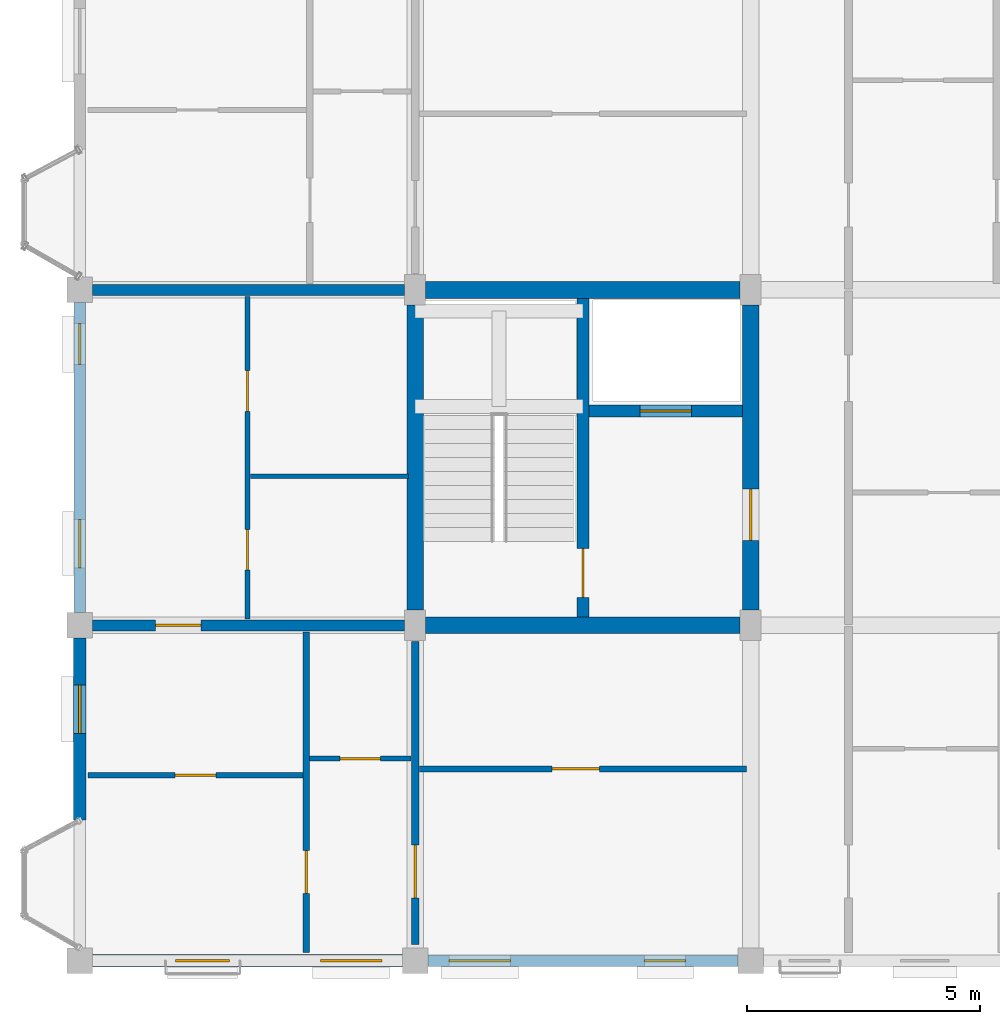
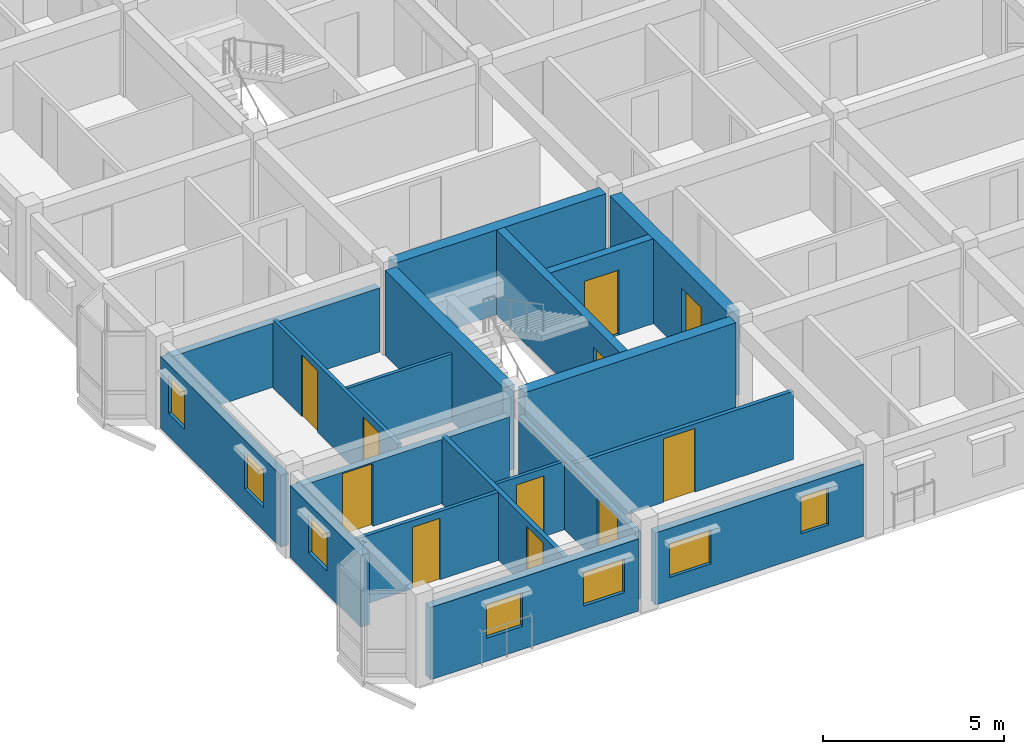
# One storey, part 50 of 79: 19 walls, 11 doors, 7 windows, 18 openings.
"""IFC4 building model written with IfcOpenShell, lengths in metres."""

from ifc_helpers import new_model, si_unit, direction, frame, frame_2d, origin, place, context, subcontext, project, spatial, rectangle, extrude, material, layer, layer_set, type_object, element, fill, save


model = new_model("IFC4")

# Units and contexts
model_context = context("Model", 3, precision=1e-05, world=origin(), true_north=direction((0.0, 1.0)))
body_context = subcontext(model_context, "Body", "Model", "MODEL_VIEW")
ifc_project = project(units=[si_unit("LENGTHUNIT", "METRE"), si_unit("AREAUNIT", "SQUARE_METRE"), si_unit("VOLUMEUNIT", "CUBIC_METRE"), si_unit("PLANEANGLEUNIT", "RADIAN"), si_unit("MASSUNIT", "GRAM", prefix="KILO"), si_unit("THERMODYNAMICTEMPERATUREUNIT", "KELVIN"), si_unit("POWERUNIT", "WATT")], contexts=[model_context])

# Site, building, storey
site_placement = place(None, origin())
site = spatial("IfcSite", under=ifc_project, at=site_placement, CompositionType="ELEMENT")
building_placement = place(site_placement, origin())
building = spatial("IfcBuilding", under=site, at=building_placement, Name="Tavuni Mirador Residences", CompositionType="ELEMENT")
storey_placement = place(building_placement, frame((0.0, 0.0, 13.949951171875)))
storey = spatial("IfcBuildingStorey", under=building, at=storey_placement, Name="L04", CompositionType="ELEMENT", Elevation=13.949951171875)

# Wall, opening, door
ifc_material_1 = material(Name="Precast concrete C40/50", Category="concrete")
ifc_layer_1 = layer(ifc_material_1, 0.25, Name="Precast concrete C40/50", Category="concrete")
ifc_layer_set_1 = layer_set([ifc_layer_1], Name="Precast concrete C40/50")
wall_type_1 = type_object("IfcWallType", Name="WT-COR250", PredefinedType="SHEAR", material=ifc_layer_set_1)
wall_1_placement = place(storey_placement, frame((14.39990234375, 14.580078125, 0.0), z_axis=(0.0, 0.0, 1.0), x_axis=(0.0, 1.0, 0.0)))
wall_1 = element("IfcWall", 1, at=wall_1_placement, inside=storey, type_object=wall_type_1, Name="CWALL-C1-L04-MID", PredefinedType="SHEAR", context=body_context, shape_type="SweptSolid", body=[
    extrude(rectangle(XDim=6.83984375, YDim=0.25, at=frame_2d((3.419921875, 0.0))), origin(), (0.0, 0.0, 1.0), 2.8701171875),
])
opening_1_placement = place(wall_1_placement, frame((0.419921875, 0.0, 0.0)))
opening_1 = element("IfcOpeningElement", 2, at=opening_1_placement, cuts=wall_1, Name="Opening D-01", PredefinedType="OPENING", context=body_context, shape_type="SweptSolid", body=[
    extrude(rectangle(XDim=1.050048828125, YDim=2.14990234375, at=frame_2d((0.52490234375, 1.074951171875))), frame((0.0, 0.135009765625, 0.0), z_axis=(0.0, -1.0, 0.0), x_axis=(1.0, 0.0, 0.0)), (0.0, 0.0, 1.0), 0.27001953125),
])
ifc_material_2 = material(Name="Solid core iroko timber", Category="wood")
door_type_1 = type_object("IfcDoorType", Name="DT-ST1050", OperationType="NOTDEFINED", PredefinedType="DOOR", material=ifc_material_2)
door_1_placement = place(opening_1_placement, origin())
door_1 = element("IfcDoor", 3, at=door_1_placement, inside=storey, type_object=door_type_1, Name="DR-2019", OperationType="SINGLE_SWING_LEFT", OverallHeight=2.14990234375, OverallWidth=1.050048828125, PredefinedType="DOOR", context=body_context, shape_type="SweptSolid", body=[
    extrude(rectangle(XDim=1.050048828125, YDim=2.14990234375, at=frame_2d((0.52490234375, 1.074951171875))), frame((0.0, 0.02490234375, 0.0), z_axis=(0.0, -1.0, 0.0), x_axis=(1.0, 0.0, 0.0)), (0.0, 0.0, 1.0), 0.050048828125),
])
fill(opening_1, door_1)

wall_2_placement = place(storey_placement, frame((14.52490234375, 19.0, 0.0), z_axis=(0.0, 0.0, 1.0), x_axis=(1.0, 0.0, 0.0)))
wall_2 = element("IfcWall", 4, at=wall_2_placement, inside=storey, type_object=wall_type_1, Name="CWALL-C1-L04-SHF", PredefinedType="SHEAR", context=body_context, shape_type="SweptSolid", body=[
    extrude(rectangle(XDim=3.295166015625, YDim=0.25, at=frame_2d((1.6474609375, 0.0))), origin(), (0.0, 0.0, 1.0), 2.8701171875),
])
opening_2_placement = place(wall_2_placement, frame((1.10009765625, 0.0, 0.0)))
opening_2 = element("IfcOpeningElement", 5, at=opening_2_placement, cuts=wall_2, Name="Opening LD-01", PredefinedType="OPENING", context=body_context, shape_type="SweptSolid", body=[
    extrude(rectangle(XDim=1.10009765625, YDim=2.199951171875, at=frame_2d((0.550048828125, 1.10009765625))), frame((0.0, 0.135009765625, 0.0), z_axis=(0.0, -1.0, 0.0), x_axis=(1.0, 0.0, 0.0)), (0.0, 0.0, 1.0), 0.27001953125),
])
ifc_material_3 = material(Name="Structural steel S355", Category="steel")
door_type_2 = type_object("IfcDoorType", Name="DT-LD-FF", OperationType="SLIDING_TO_LEFT", PredefinedType="DOOR", material=ifc_material_3)
door_2_placement = place(opening_2_placement, origin())
door_2 = element("IfcDoor", 6, at=door_2_placement, inside=storey, type_object=door_type_2, Name="Lift landing door FL-A1 L04", OperationType="SLIDING_TO_LEFT", OverallHeight=2.199951171875, OverallWidth=1.10009765625, PredefinedType="DOOR", context=body_context, shape_type="SweptSolid", body=[
    extrude(rectangle(XDim=1.10009765625, YDim=2.199951171875, at=frame_2d((0.550048828125, 1.10009765625))), frame((0.0, 0.02490234375, 0.0), z_axis=(0.0, -1.0, 0.0), x_axis=(1.0, 0.0, 0.0)), (0.0, 0.0, 1.0), 0.050048828125),
])
fill(opening_2, door_2)

# Walls
ifc_layer_2 = layer(ifc_material_1, 0.360107421875, Name="Precast concrete C40/50", Category="concrete")
ifc_layer_set_2 = layer_set([ifc_layer_2], Name="Precast concrete C40/50")
wall_type_2 = type_object("IfcWallType", Name="WT-COR360", PredefinedType="SHEAR", material=ifc_layer_set_2)
wall_3_placement = place(storey_placement, frame((10.800048828125, 14.72509765625, 0.0), z_axis=(0.0, 0.0, 1.0), x_axis=(0.0, 1.0, 0.0)))
element("IfcWall", 7, at=wall_3_placement, inside=storey, type_object=wall_type_2, Name="CWALL-C1-L04-W", PredefinedType="SHEAR", context=body_context, shape_type="SweptSolid", body=[
    extrude(rectangle(XDim=6.5498046875, YDim=0.360107421875, at=frame_2d((3.27490234375, 0.0))), origin(), (0.0, 0.0, 1.0), 2.8701171875),
])
wall_4_placement = place(storey_placement, frame((11.02490234375, 21.60009765625, 0.0), z_axis=(0.0, 0.0, 1.0), x_axis=(1.0, 0.0, 0.0)))
element("IfcWall", 8, at=wall_4_placement, inside=storey, type_object=wall_type_2, Name="CWALL-C1-L04-N", PredefinedType="SHEAR", context=body_context, shape_type="SweptSolid", body=[
    extrude(rectangle(XDim=6.75, YDim=0.360107421875, at=frame_2d((3.375, 0.0))), origin(), (0.0, 0.0, 1.0), 2.8701171875),
])

# Wall, opening, door
wall_5_placement = place(storey_placement, frame((18.0, 14.72509765625, 0.0), z_axis=(0.0, 0.0, 1.0), x_axis=(0.0, 1.0, 0.0)))
wall_5 = element("IfcWall", 9, at=wall_5_placement, inside=storey, type_object=wall_type_2, Name="CWALL-C1-L04-E", PredefinedType="SHEAR", context=body_context, shape_type="SweptSolid", body=[
    extrude(rectangle(XDim=6.5498046875, YDim=0.360107421875, at=frame_2d((3.27490234375, 0.0))), origin(), (0.0, 0.0, 1.0), 2.8701171875),
])
opening_3_placement = place(wall_5_placement, frame((1.5, 0.0, 0.0)))
opening_3 = element("IfcOpeningElement", 10, at=opening_3_placement, cuts=wall_5, Name="Opening D-02", PredefinedType="OPENING", context=body_context, shape_type="SweptSolid", body=[
    extrude(rectangle(XDim=1.10009765625, YDim=2.14990234375, at=frame_2d((0.550048828125, 1.074951171875))), frame((0.0, 0.18994140625, 0.0), z_axis=(0.0, -1.0, 0.0), x_axis=(1.0, 0.0, 0.0)), (0.0, 0.0, 1.0), 0.380126953125),
])
door_type_3 = type_object("IfcDoorType", Name="DT-LOB1100", OperationType="NOTDEFINED", PredefinedType="DOOR", material=ifc_material_2)
door_3_placement = place(opening_3_placement, frame((1.10009765625, 0.0, 0.0), z_axis=(0.0, 0.0, 1.0), x_axis=(-1.0, 0.0, 0.0)))
door_3 = element("IfcDoor", 11, at=door_3_placement, inside=storey, type_object=door_type_3, Name="DR-2018", OperationType="SINGLE_SWING_LEFT", OverallHeight=2.14990234375, OverallWidth=1.10009765625, PredefinedType="DOOR", context=body_context, shape_type="SweptSolid", body=[
    extrude(rectangle(XDim=1.10009765625, YDim=2.14990234375, at=frame_2d((0.550048828125, 1.074951171875))), frame((0.0, 0.02490234375, 0.0), z_axis=(0.0, -1.0, 0.0), x_axis=(1.0, 0.0, 0.0)), (0.0, 0.0, 1.0), 0.050048828125),
])
fill(opening_3, door_3)

# Wall
wall_6_placement = place(storey_placement, frame((11.02490234375, 14.39990234375, 0.0), z_axis=(0.0, 0.0, 1.0), x_axis=(1.0, 0.0, 0.0)))
element("IfcWall", 12, at=wall_6_placement, inside=storey, type_object=wall_type_2, Name="CWALL-C1-L04-SS", PredefinedType="SHEAR", context=body_context, shape_type="SweptSolid", body=[
    extrude(rectangle(XDim=6.75, YDim=0.360107421875, at=frame_2d((3.375, 0.0))), origin(), (0.0, 0.0, 1.0), 2.8701171875),
])

# Wall, opening, door
ifc_layer_3 = layer(ifc_material_1, 0.1650390625, Name="Precast concrete C40/50", Category="concrete")
ifc_layer_set_3 = layer_set([ifc_layer_3], Name="Precast concrete C40/50")
wall_type_3 = type_object("IfcWallType", Name="WT-CORR165", PredefinedType="PARTITIONING", material=ifc_layer_set_3)
wall_7_placement = place(storey_placement, frame((10.800048828125, 7.550048828125, 0.0), z_axis=(0.0, 0.0, 1.0), x_axis=(0.0, 1.0, 0.0)))
wall_7 = element("IfcWall", 13, at=wall_7_placement, inside=storey, type_object=wall_type_3, Name="CORW-BLK-A-L04-1-00", PredefinedType="PARTITIONING", context=body_context, shape_type="SweptSolid", body=[
    extrude(rectangle(XDim=6.5, YDim=0.1650390625, at=frame_2d((3.25, 0.0))), origin(), (0.0, 0.0, 1.0), 2.304931640625),
])
opening_4_placement = place(wall_7_placement, frame((1.0, 0.0, 0.0)))
opening_4 = element("IfcOpeningElement", 14, at=opening_4_placement, cuts=wall_7, Name="Opening D-20", PredefinedType="OPENING", context=body_context, shape_type="SweptSolid", body=[
    extrude(rectangle(XDim=1.139892578125, YDim=2.179931640625, at=frame_2d((0.56982421875, 1.08984375))), frame((0.0, 0.092529296875, 0.0), z_axis=(0.0, -1.0, 0.0), x_axis=(1.0, 0.0, 0.0)), (0.0, 0.0, 1.0), 0.18505859375),
])
door_type_4 = type_object("IfcDoorType", Name="DT-FD60-1140", OperationType="NOTDEFINED", PredefinedType="DOOR", material=ifc_material_2)
door_4_placement = place(opening_4_placement, origin())
door_4 = element("IfcDoor", 15, at=door_4_placement, inside=storey, type_object=door_type_4, Name="DR-2429", OperationType="SINGLE_SWING_RIGHT", OverallHeight=2.179931640625, OverallWidth=1.139892578125, PredefinedType="DOOR", context=body_context, shape_type="SweptSolid", body=[
    extrude(rectangle(XDim=1.139892578125, YDim=2.179931640625, at=frame_2d((0.56982421875, 1.08984375))), frame((0.0, 0.02490234375, 0.0), z_axis=(0.0, -1.0, 0.0), x_axis=(1.0, 0.0, 0.0)), (0.0, 0.0, 1.0), 0.050048828125),
])
fill(opening_4, door_4)

# Wall, openings, windows
ifc_material_4 = material(Name="Sgraffito lime-rendered precast concrete C40/50", Category="concrete")
ifc_layer_4 = layer(ifc_material_4, 0.2548828125, Name="Sgraffito lime-rendered precast concrete C40/50", Category="concrete")
ifc_layer_set_4 = layer_set([ifc_layer_4], Name="Sgraffito lime-rendered precast concrete C40/50")
wall_type_4 = type_object("IfcWallType", Name="WT-EXT-PC255", PredefinedType="SOLIDWALL", material=ifc_layer_set_4)
wall_8_placement = place(storey_placement, frame((11.074951171875, 7.199951171875, 0.0), z_axis=(0.0, 0.0, 1.0), x_axis=(1.0, 0.0, 0.0)))
wall_8 = element("IfcWall", 16, at=wall_8_placement, inside=storey, type_object=wall_type_4, Name="EW-BLK-A-L04-S01", PredefinedType="SOLIDWALL", context=body_context, shape_type="SweptSolid", body=[
    extrude(rectangle(XDim=6.650146484375, YDim=0.2548828125, at=frame_2d((3.3251953125, 0.0))), origin(), (0.0, 0.0, 1.0), 2.43994140625),
])
opening_5_placement = place(wall_8_placement, frame((0.449951171875, 0.0, 0.780029296875)))
opening_5 = element("IfcOpeningElement", 17, at=opening_5_placement, cuts=wall_8, Name="Opening WN-07", PredefinedType="OPENING", context=body_context, shape_type="SweptSolid", body=[
    extrude(rectangle(XDim=1.320068359375, YDim=1.14990234375, at=frame_2d((0.66015625, 0.574951171875))), frame((0.0, 0.137451171875, 0.0), z_axis=(0.0, -1.0, 0.0), x_axis=(1.0, 0.0, 0.0)), (0.0, 0.0, 1.0), 0.27490234375),
])
opening_6_placement = place(wall_8_placement, frame((4.64990234375, 0.0, 0.780029296875)))
opening_6 = element("IfcOpeningElement", 18, at=opening_6_placement, cuts=wall_8, Name="Opening WN-09", PredefinedType="OPENING", context=body_context, shape_type="SweptSolid", body=[
    extrude(rectangle(XDim=0.8798828125, YDim=1.260009765625, at=frame_2d((0.43994140625, 0.6298828125))), frame((0.0, 0.137451171875, 0.0), z_axis=(0.0, -1.0, 0.0), x_axis=(1.0, 0.0, 0.0)), (0.0, 0.0, 1.0), 0.27490234375),
])
ifc_material_5 = material(Name="Laminated solar-control glass", Category="glass")
window_type_1 = type_object("IfcWindowType", Name="WNT-07", PartitioningType="SINGLE_PANEL", PredefinedType="WINDOW", material=ifc_material_5)
window_1_placement = place(opening_5_placement, origin())
window_1 = element("IfcWindow", 19, at=window_1_placement, inside=storey, type_object=window_type_1, Name="WIN-0152", OverallHeight=1.14990234375, OverallWidth=1.320068359375, PartitioningType="SINGLE_PANEL", PredefinedType="WINDOW", context=body_context, shape_type="SweptSolid", body=[
    extrude(rectangle(XDim=1.320068359375, YDim=1.14990234375, at=frame_2d((0.66015625, 0.574951171875))), frame((0.0, 0.030029296875, 0.0), z_axis=(0.0, -1.0, 0.0), x_axis=(1.0, 0.0, 0.0)), (0.0, 0.0, 1.0), 0.06005859375),
])
fill(opening_5, window_1)
window_type_2 = type_object("IfcWindowType", Name="WNT-09", PartitioningType="SINGLE_PANEL", PredefinedType="WINDOW", material=ifc_material_5)
window_2_placement = place(opening_6_placement, origin())
window_2 = element("IfcWindow", 20, at=window_2_placement, inside=storey, type_object=window_type_2, Name="WIN-0153", OverallHeight=1.260009765625, OverallWidth=0.8798828125, PartitioningType="SINGLE_PANEL", PredefinedType="WINDOW", context=body_context, shape_type="SweptSolid", body=[
    extrude(rectangle(XDim=0.8798828125, YDim=1.260009765625, at=frame_2d((0.43994140625, 0.6298828125))), frame((0.0, 0.030029296875, 0.0), z_axis=(0.0, -1.0, 0.0), x_axis=(1.0, 0.0, 0.0)), (0.0, 0.0, 1.0), 0.06005859375),
])
fill(opening_6, window_2)

wall_9_placement = place(storey_placement, frame((3.60009765625, 21.324951171875, 0.0), z_axis=(0.0, 0.0, 1.0), x_axis=(0.0, -1.0, 0.0)))
wall_9 = element("IfcWall", 21, at=wall_9_placement, inside=storey, type_object=wall_type_4, Name="EW-BLK-A-L04-W01", PredefinedType="SOLIDWALL", context=body_context, shape_type="SweptSolid", body=[
    extrude(rectangle(XDim=6.64990234375, YDim=0.2548828125, at=frame_2d((3.324951171875, 0.0))), origin(), (0.0, 0.0, 1.0), 2.43994140625),
])
opening_7_placement = place(wall_9_placement, frame((0.449951171875, 0.0, 0.780029296875)))
opening_7 = element("IfcOpeningElement", 22, at=opening_7_placement, cuts=wall_9, Name="Opening WN-09", PredefinedType="OPENING", context=body_context, shape_type="SweptSolid", body=[
    extrude(rectangle(XDim=0.8798828125, YDim=1.260009765625, at=frame_2d((0.43994140625, 0.6298828125))), frame((0.0, 0.137451171875, 0.0), z_axis=(0.0, -1.0, 0.0), x_axis=(1.0, 0.0, 0.0)), (0.0, 0.0, 1.0), 0.27490234375),
])
opening_8_placement = place(wall_9_placement, frame((4.64990234375, 0.0, 0.780029296875)))
opening_8 = element("IfcOpeningElement", 23, at=opening_8_placement, cuts=wall_9, Name="Opening WN-11", PredefinedType="OPENING", context=body_context, shape_type="SweptSolid", body=[
    extrude(rectangle(XDim=1.0400390625, YDim=1.260009765625, at=frame_2d((0.52001953125, 0.6298828125))), frame((0.0, 0.137451171875, 0.0), z_axis=(0.0, -1.0, 0.0), x_axis=(1.0, 0.0, 0.0)), (0.0, 0.0, 1.0), 0.27490234375),
])
window_3_placement = place(opening_7_placement, origin())
window_3 = element("IfcWindow", 24, at=window_3_placement, inside=storey, type_object=window_type_2, Name="WIN-0184", OverallHeight=1.260009765625, OverallWidth=0.8798828125, PartitioningType="SINGLE_PANEL", PredefinedType="WINDOW", context=body_context, shape_type="SweptSolid", body=[
    extrude(rectangle(XDim=0.8798828125, YDim=1.260009765625, at=frame_2d((0.43994140625, 0.6298828125))), frame((0.0, 0.030029296875, 0.0), z_axis=(0.0, -1.0, 0.0), x_axis=(1.0, 0.0, 0.0)), (0.0, 0.0, 1.0), 0.06005859375),
])
fill(opening_7, window_3)
window_type_3 = type_object("IfcWindowType", Name="WNT-11", PartitioningType="SINGLE_PANEL", PredefinedType="WINDOW", material=ifc_material_5)
window_4_placement = place(opening_8_placement, origin())
window_4 = element("IfcWindow", 25, at=window_4_placement, inside=storey, type_object=window_type_3, Name="WIN-0185", OverallHeight=1.260009765625, OverallWidth=1.0400390625, PartitioningType="SINGLE_PANEL", PredefinedType="WINDOW", context=body_context, shape_type="SweptSolid", body=[
    extrude(rectangle(XDim=1.0400390625, YDim=1.260009765625, at=frame_2d((0.52001953125, 0.6298828125))), frame((0.0, 0.030029296875, 0.0), z_axis=(0.0, -1.0, 0.0), x_axis=(1.0, 0.0, 0.0)), (0.0, 0.0, 1.0), 0.06005859375),
])
fill(opening_8, window_4)

ifc_layer_5 = layer(ifc_material_4, 0.27490234375, Name="Sgraffito lime-rendered precast concrete C40/50", Category="concrete")
ifc_layer_set_5 = layer_set([ifc_layer_5], Name="Sgraffito lime-rendered precast concrete C40/50")
wall_type_5 = type_object("IfcWallType", Name="WT-EXT-PC275", PredefinedType="SOLIDWALL", material=ifc_layer_set_5)
wall_10_placement = place(storey_placement, frame((3.875, 7.199951171875, 0.0), z_axis=(0.0, 0.0, 1.0), x_axis=(1.0, 0.0, 0.0)))
wall_10 = element("IfcWall", 26, at=wall_10_placement, inside=storey, type_object=wall_type_5, Name="EW-BLK-A-L04-S00", PredefinedType="SOLIDWALL", context=body_context, shape_type="SweptSolid", body=[
    extrude(rectangle(XDim=6.64990234375, YDim=0.27490234375, at=frame_2d((3.324951171875, 0.0))), origin(), (0.0, 0.0, 1.0), 2.43994140625),
])
opening_9_placement = place(wall_10_placement, frame((1.782470703125, 0.0, 0.780029296875)))
opening_9 = element("IfcOpeningElement", 27, at=opening_9_placement, cuts=wall_10, Name="Opening WN-05", PredefinedType="OPENING", context=body_context, shape_type="SweptSolid", body=[
    extrude(rectangle(XDim=1.159912109375, YDim=1.14990234375, at=frame_2d((0.580078125, 0.574951171875))), frame((0.0, 0.1474609375, 0.0), z_axis=(0.0, -1.0, 0.0), x_axis=(1.0, 0.0, 0.0)), (0.0, 0.0, 1.0), 0.294921875),
])
opening_10_placement = place(wall_10_placement, frame((4.887451171875, 0.0, 0.780029296875)))
opening_10 = element("IfcOpeningElement", 28, at=opening_10_placement, cuts=wall_10, Name="Opening WN-07", PredefinedType="OPENING", context=body_context, shape_type="SweptSolid", body=[
    extrude(rectangle(XDim=1.320068359375, YDim=1.14990234375, at=frame_2d((0.66015625, 0.574951171875))), frame((0.0, 0.1474609375, 0.0), z_axis=(0.0, -1.0, 0.0), x_axis=(1.0, 0.0, 0.0)), (0.0, 0.0, 1.0), 0.294921875),
])
window_type_4 = type_object("IfcWindowType", Name="WNT-05", PartitioningType="SINGLE_PANEL", PredefinedType="WINDOW", material=ifc_material_5)
window_5_placement = place(opening_9_placement, origin())
window_5 = element("IfcWindow", 29, at=window_5_placement, inside=storey, type_object=window_type_4, Name="WIN-0150", OverallHeight=1.14990234375, OverallWidth=1.159912109375, PartitioningType="SINGLE_PANEL", PredefinedType="WINDOW", context=body_context, shape_type="SweptSolid", body=[
    extrude(rectangle(XDim=1.159912109375, YDim=1.14990234375, at=frame_2d((0.580078125, 0.574951171875))), frame((0.0, 0.030029296875, 0.0), z_axis=(0.0, -1.0, 0.0), x_axis=(1.0, 0.0, 0.0)), (0.0, 0.0, 1.0), 0.06005859375),
])
fill(opening_9, window_5)
window_6_placement = place(opening_10_placement, origin())
window_6 = element("IfcWindow", 30, at=window_6_placement, inside=storey, type_object=window_type_1, Name="WIN-0151", OverallHeight=1.14990234375, OverallWidth=1.320068359375, PartitioningType="SINGLE_PANEL", PredefinedType="WINDOW", context=body_context, shape_type="SweptSolid", body=[
    extrude(rectangle(XDim=1.320068359375, YDim=1.14990234375, at=frame_2d((0.66015625, 0.574951171875))), frame((0.0, 0.030029296875, 0.0), z_axis=(0.0, -1.0, 0.0), x_axis=(1.0, 0.0, 0.0)), (0.0, 0.0, 1.0), 0.06005859375),
])
fill(opening_10, window_6)

# Wall, opening, window
wall_11_placement = place(storey_placement, frame((3.60009765625, 14.125, 0.0), z_axis=(0.0, 0.0, 1.0), x_axis=(0.0, -1.0, 0.0)))
wall_11 = element("IfcWall", 31, at=wall_11_placement, inside=storey, type_object=wall_type_5, Name="EW-BLK-A-L04-W00", PredefinedType="SOLIDWALL", context=body_context, shape_type="SweptSolid", body=[
    extrude(rectangle(XDim=3.905029296875, YDim=0.27490234375, at=frame_2d((1.95263671875, 0.0))), origin(), (0.0, 0.0, 1.0), 2.43994140625),
])
opening_11_placement = place(wall_11_placement, frame((1.007568359375, 0.0, 0.780029296875)))
opening_11 = element("IfcOpeningElement", 32, at=opening_11_placement, cuts=wall_11, Name="Opening WN-11", PredefinedType="OPENING", context=body_context, shape_type="SweptSolid", body=[
    extrude(rectangle(XDim=1.0400390625, YDim=1.260009765625, at=frame_2d((0.52001953125, 0.6298828125))), frame((0.0, 0.1474609375, 0.0), z_axis=(0.0, -1.0, 0.0), x_axis=(1.0, 0.0, 0.0)), (0.0, 0.0, 1.0), 0.294921875),
])
window_7_placement = place(opening_11_placement, origin())
window_7 = element("IfcWindow", 33, at=window_7_placement, inside=storey, type_object=window_type_3, Name="WIN-0186", OverallHeight=1.260009765625, OverallWidth=1.0400390625, PartitioningType="SINGLE_PANEL", PredefinedType="WINDOW", context=body_context, shape_type="SweptSolid", body=[
    extrude(rectangle(XDim=1.0400390625, YDim=1.260009765625, at=frame_2d((0.52001953125, 0.6298828125))), frame((0.0, 0.030029296875, 0.0), z_axis=(0.0, -1.0, 0.0), x_axis=(1.0, 0.0, 0.0)), (0.0, 0.0, 1.0), 0.06005859375),
])
fill(opening_11, window_7)

# Wall, opening, door
ifc_material_6 = material(Name="Acoustic gypsum and concrete block partition", Category="concrete")
ifc_layer_6 = layer(ifc_material_6, 0.10498046875, Name="Acoustic gypsum and concrete block partition", Category="concrete")
ifc_layer_set_6 = layer_set([ifc_layer_6], Name="Acoustic gypsum and concrete block partition")
wall_type_6 = type_object("IfcWallType", Name="WT-PART105", PredefinedType="PARTITIONING", material=ifc_layer_set_6)
wall_12_placement = place(storey_placement, frame((8.530029296875, 11.5400390625, 0.0), z_axis=(0.0, 0.0, 1.0), x_axis=(1.0, 0.0, 0.0)))
wall_12 = element("IfcWall", 34, at=wall_12_placement, inside=storey, type_object=wall_type_6, Name="PW-BLK-A-L04-W00-IN1", PredefinedType="PARTITIONING", context=body_context, shape_type="SweptSolid", body=[
    extrude(rectangle(XDim=2.179931640625, YDim=0.10498046875, at=frame_2d((1.08984375, 0.0))), origin(), (0.0, 0.0, 1.0), 2.304931640625),
])
opening_12_placement = place(wall_12_placement, frame((0.655029296875, 0.0, 0.0)))
opening_12 = element("IfcOpeningElement", 35, at=opening_12_placement, cuts=wall_12, Name="Opening D-10", PredefinedType="OPENING", context=body_context, shape_type="SweptSolid", body=[
    extrude(rectangle(XDim=0.8701171875, YDim=2.050048828125, at=frame_2d((0.43505859375, 1.02490234375))), frame((0.0, 0.0625, 0.0), z_axis=(0.0, -1.0, 0.0), x_axis=(1.0, 0.0, 0.0)), (0.0, 0.0, 1.0), 0.125),
])
door_type_5 = type_object("IfcDoorType", Name="DT-WC870", OperationType="NOTDEFINED", PredefinedType="DOOR", material=ifc_material_2)
door_5_placement = place(opening_12_placement, origin())
door_5 = element("IfcDoor", 36, at=door_5_placement, inside=storey, type_object=door_type_5, Name="DR-3064", OperationType="SINGLE_SWING_LEFT", OverallHeight=2.050048828125, OverallWidth=0.8701171875, PredefinedType="DOOR", context=body_context, shape_type="SweptSolid", body=[
    extrude(rectangle(XDim=0.8701171875, YDim=2.050048828125, at=frame_2d((0.43505859375, 1.02490234375))), frame((0.0, 0.02490234375, 0.0), z_axis=(0.0, -1.0, 0.0), x_axis=(1.0, 0.0, 0.0)), (0.0, 0.0, 1.0), 0.050048828125),
])
fill(opening_12, door_5)

# Wall
wall_13_placement = place(storey_placement, frame((7.27001953125, 17.60009765625, 0.0), z_axis=(0.0, 0.0, 1.0), x_axis=(1.0, 0.0, 0.0)))
element("IfcWall", 37, at=wall_13_placement, inside=storey, type_object=wall_type_6, Name="PW-BLK-A-L04-WC01-H", PredefinedType="PARTITIONING", context=body_context, shape_type="SweptSolid", body=[
    extrude(rectangle(XDim=3.389892578125, YDim=0.10498046875, at=frame_2d((1.69482421875, 0.0))), origin(), (0.0, 0.0, 1.0), 2.304931640625),
])

# Wall, opening, door
ifc_layer_7 = layer(ifc_material_6, 0.114990234375, Name="Acoustic gypsum and concrete block partition", Category="concrete")
ifc_layer_set_7 = layer_set([ifc_layer_7], Name="Acoustic gypsum and concrete block partition")
wall_type_7 = type_object("IfcWallType", Name="WT-PART115", PredefinedType="PARTITIONING", material=ifc_layer_set_7)
wall_14_placement = place(storey_placement, frame((3.77490234375, 11.179931640625, 0.0), z_axis=(0.0, 0.0, 1.0), x_axis=(1.0, 0.0, 0.0)))
wall_14 = element("IfcWall", 38, at=wall_14_placement, inside=storey, type_object=wall_type_7, Name="PW-BLK-A-L04-W00-OUT", PredefinedType="PARTITIONING", context=body_context, shape_type="SweptSolid", body=[
    extrude(rectangle(XDim=4.614990234375, YDim=0.114990234375, at=frame_2d((2.3076171875, 0.0))), origin(), (0.0, 0.0, 1.0), 2.304931640625),
])
opening_13_placement = place(wall_14_placement, frame((1.867431640625, 0.0, 0.0)))
opening_13 = element("IfcOpeningElement", 39, at=opening_13_placement, cuts=wall_14, Name="Opening D-08", PredefinedType="OPENING", context=body_context, shape_type="SweptSolid", body=[
    extrude(rectangle(XDim=0.8798828125, YDim=2.080078125, at=frame_2d((0.43994140625, 1.0400390625))), frame((0.0, 0.0673828125, 0.0), z_axis=(0.0, -1.0, 0.0), x_axis=(1.0, 0.0, 0.0)), (0.0, 0.0, 1.0), 0.135009765625),
])
door_type_6 = type_object("IfcDoorType", Name="DT-BED880", OperationType="NOTDEFINED", PredefinedType="DOOR", material=ifc_material_2)
door_6_placement = place(opening_13_placement, origin())
door_6 = element("IfcDoor", 40, at=door_6_placement, inside=storey, type_object=door_type_6, Name="DR-3063", OperationType="SINGLE_SWING_RIGHT", OverallHeight=2.080078125, OverallWidth=0.8798828125, PredefinedType="DOOR", context=body_context, shape_type="SweptSolid", body=[
    extrude(rectangle(XDim=0.8798828125, YDim=2.080078125, at=frame_2d((0.43994140625, 1.0400390625))), frame((0.0, 0.02490234375, 0.0), z_axis=(0.0, -1.0, 0.0), x_axis=(1.0, 0.0, 0.0)), (0.0, 0.0, 1.0), 0.050048828125),
])
fill(opening_13, door_6)

# Wall, openings, doors
wall_15_placement = place(storey_placement, frame((7.199951171875, 14.5400390625, 0.0), z_axis=(0.0, 0.0, 1.0), x_axis=(0.0, 1.0, 0.0)))
wall_15 = element("IfcWall", 41, at=wall_15_placement, inside=storey, type_object=wall_type_7, Name="PW-BLK-A-L04-WC01-M", PredefinedType="PARTITIONING", context=body_context, shape_type="SweptSolid", body=[
    extrude(rectangle(XDim=6.919921875, YDim=0.114990234375, at=frame_2d((3.4599609375, 0.0))), origin(), (0.0, 0.0, 1.0), 2.304931640625),
])
opening_14_placement = place(wall_15_placement, frame((1.050048828125, 0.0, 0.0)))
opening_14 = element("IfcOpeningElement", 42, at=opening_14_placement, cuts=wall_15, Name="Opening D-10", PredefinedType="OPENING", context=body_context, shape_type="SweptSolid", body=[
    extrude(rectangle(XDim=0.8701171875, YDim=2.050048828125, at=frame_2d((0.43505859375, 1.02490234375))), frame((0.0, 0.0673828125, 0.0), z_axis=(0.0, -1.0, 0.0), x_axis=(1.0, 0.0, 0.0)), (0.0, 0.0, 1.0), 0.135009765625),
])
opening_15_placement = place(wall_15_placement, frame((4.449951171875, 0.0, 0.0)))
opening_15 = element("IfcOpeningElement", 43, at=opening_15_placement, cuts=wall_15, Name="Opening D-08", PredefinedType="OPENING", context=body_context, shape_type="SweptSolid", body=[
    extrude(rectangle(XDim=0.8798828125, YDim=2.080078125, at=frame_2d((0.43994140625, 1.0400390625))), frame((0.0, 0.0673828125, 0.0), z_axis=(0.0, -1.0, 0.0), x_axis=(1.0, 0.0, 0.0)), (0.0, 0.0, 1.0), 0.135009765625),
])
door_7_placement = place(opening_15_placement, origin())
door_7 = element("IfcDoor", 44, at=door_7_placement, inside=storey, type_object=door_type_6, Name="DR-3070", OperationType="SINGLE_SWING_LEFT", OverallHeight=2.080078125, OverallWidth=0.8798828125, PredefinedType="DOOR", context=body_context, shape_type="SweptSolid", body=[
    extrude(rectangle(XDim=0.8798828125, YDim=2.080078125, at=frame_2d((0.43994140625, 1.0400390625))), frame((0.0, 0.02490234375, 0.0), z_axis=(0.0, -1.0, 0.0), x_axis=(1.0, 0.0, 0.0)), (0.0, 0.0, 1.0), 0.050048828125),
])
fill(opening_15, door_7)
door_8_placement = place(opening_14_placement, origin())
door_8 = element("IfcDoor", 45, at=door_8_placement, inside=storey, type_object=door_type_5, Name="DR-3069", OperationType="SINGLE_SWING_RIGHT", OverallHeight=2.050048828125, OverallWidth=0.8701171875, PredefinedType="DOOR", context=body_context, shape_type="SweptSolid", body=[
    extrude(rectangle(XDim=0.8701171875, YDim=2.050048828125, at=frame_2d((0.43505859375, 1.02490234375))), frame((0.0, 0.02490234375, 0.0), z_axis=(0.0, -1.0, 0.0), x_axis=(1.0, 0.0, 0.0)), (0.0, 0.0, 1.0), 0.050048828125),
])
fill(opening_14, door_8)

# Wall, opening, door
ifc_layer_8 = layer(ifc_material_6, 0.125, Name="Acoustic gypsum and concrete block partition", Category="concrete")
ifc_layer_set_8 = layer_set([ifc_layer_8], Name="Acoustic gypsum and concrete block partition")
wall_type_8 = type_object("IfcWallType", Name="WT-PART125", PredefinedType="PARTITIONING", material=ifc_layer_set_8)
wall_16_placement = place(storey_placement, frame((10.889892578125, 11.320068359375, 0.0), z_axis=(0.0, 0.0, 1.0), x_axis=(1.0, 0.0, 0.0)))
wall_16 = element("IfcWall", 46, at=wall_16_placement, inside=storey, type_object=wall_type_8, Name="PW-SPN-BLK-A-L04-00", PredefinedType="PARTITIONING", context=body_context, shape_type="SweptSolid", body=[
    extrude(rectangle(XDim=7.02001953125, YDim=0.125, at=frame_2d((3.510009765625, 0.0))), origin(), (0.0, 0.0, 1.0), 2.304931640625),
])
opening_16_placement = place(wall_16_placement, frame((2.85009765625, 0.0, 0.0)))
opening_16 = element("IfcOpeningElement", 47, at=opening_16_placement, cuts=wall_16, Name="Opening D-13", PredefinedType="OPENING", context=body_context, shape_type="SweptSolid", body=[
    extrude(rectangle(XDim=1.02001953125, YDim=2.14990234375, at=frame_2d((0.510009765625, 1.074951171875))), frame((0.0, 0.072509765625, 0.0), z_axis=(0.0, -1.0, 0.0), x_axis=(1.0, 0.0, 0.0)), (0.0, 0.0, 1.0), 0.14501953125),
])
door_type_7 = type_object("IfcDoorType", Name="DT-MTG1020", OperationType="NOTDEFINED", PredefinedType="DOOR", material=ifc_material_2)
door_9_placement = place(opening_16_placement, origin())
door_9 = element("IfcDoor", 48, at=door_9_placement, inside=storey, type_object=door_type_7, Name="DR-3062", OperationType="SINGLE_SWING_LEFT", OverallHeight=2.14990234375, OverallWidth=1.02001953125, PredefinedType="DOOR", context=body_context, shape_type="SweptSolid", body=[
    extrude(rectangle(XDim=1.02001953125, YDim=2.14990234375, at=frame_2d((0.510009765625, 1.074951171875))), frame((0.0, 0.02490234375, 0.0), z_axis=(0.0, -1.0, 0.0), x_axis=(1.0, 0.0, 0.0)), (0.0, 0.0, 1.0), 0.050048828125),
])
fill(opening_16, door_9)

ifc_layer_9 = layer(ifc_material_6, 0.139892578125, Name="Acoustic gypsum and concrete block partition", Category="concrete")
ifc_layer_set_9 = layer_set([ifc_layer_9], Name="Acoustic gypsum and concrete block partition")
wall_type_9 = type_object("IfcWallType", Name="WT-PART140", PredefinedType="PARTITIONING", material=ifc_layer_set_9)
wall_17_placement = place(storey_placement, frame((8.4599609375, 7.375, 0.0), z_axis=(0.0, 0.0, 1.0), x_axis=(0.0, 1.0, 0.0)))
wall_17 = element("IfcWall", 49, at=wall_17_placement, inside=storey, type_object=wall_type_9, Name="PW-BLK-A-L04-W00-MID", PredefinedType="PARTITIONING", context=body_context, shape_type="SweptSolid", body=[
    extrude(rectangle(XDim=6.885009765625, YDim=0.139892578125, at=frame_2d((3.4423828125, 0.0))), origin(), (0.0, 0.0, 1.0), 2.304931640625),
])
opening_17_placement = place(wall_17_placement, frame((1.27490234375, 0.0, 0.0)))
opening_17 = element("IfcOpeningElement", 50, at=opening_17_placement, cuts=wall_17, Name="Opening D-06", PredefinedType="OPENING", context=body_context, shape_type="SweptSolid", body=[
    extrude(rectangle(XDim=0.919921875, YDim=2.10009765625, at=frame_2d((0.4599609375, 1.050048828125))), frame((0.0, 0.080078125, 0.0), z_axis=(0.0, -1.0, 0.0), x_axis=(1.0, 0.0, 0.0)), (0.0, 0.0, 1.0), 0.159912109375),
])
door_type_8 = type_object("IfcDoorType", Name="DT-INT920", OperationType="NOTDEFINED", PredefinedType="DOOR", material=ifc_material_2)
door_10_placement = place(opening_17_placement, origin())
door_10 = element("IfcDoor", 51, at=door_10_placement, inside=storey, type_object=door_type_8, Name="DR-3065", OperationType="SINGLE_SWING_RIGHT", OverallHeight=2.10009765625, OverallWidth=0.919921875, PredefinedType="DOOR", context=body_context, shape_type="SweptSolid", body=[
    extrude(rectangle(XDim=0.919921875, YDim=2.10009765625, at=frame_2d((0.4599609375, 1.050048828125))), frame((0.0, 0.02490234375, 0.0), z_axis=(0.0, -1.0, 0.0), x_axis=(1.0, 0.0, 0.0)), (0.0, 0.0, 1.0), 0.050048828125),
])
fill(opening_17, door_10)

ifc_layer_10 = layer(ifc_material_1, 0.235107421875, Name="Precast concrete C40/50", Category="concrete")
ifc_layer_set_10 = layer_set([ifc_layer_10], Name="Precast concrete C40/50")
wall_type_10 = type_object("IfcWallType", Name="WT-XW235", PredefinedType="SOLIDWALL", material=ifc_layer_set_10)
wall_18_placement = place(storey_placement, frame((3.875, 14.39990234375, 0.0), z_axis=(0.0, 0.0, 1.0), x_axis=(1.0, 0.0, 0.0)))
wall_18 = element("IfcWall", 52, at=wall_18_placement, inside=storey, type_object=wall_type_10, Name="XW-BLK-A-L04-W-01", PredefinedType="SOLIDWALL", context=body_context, shape_type="SweptSolid", body=[
    extrude(rectangle(XDim=6.699951171875, YDim=0.235107421875, at=frame_2d((3.35009765625, 0.0))), origin(), (0.0, 0.0, 1.0), 2.170166015625),
])
opening_18_placement = place(wall_18_placement, frame((1.35009765625, 0.0, 0.0)))
opening_18 = element("IfcOpeningElement", 53, at=opening_18_placement, cuts=wall_18, Name="Opening D-04", PredefinedType="OPENING", context=body_context, shape_type="SweptSolid", body=[
    extrude(rectangle(XDim=0.97998046875, YDim=2.1201171875, at=frame_2d((0.489990234375, 1.06005859375))), frame((0.0, 0.12744140625, 0.0), z_axis=(0.0, -1.0, 0.0), x_axis=(1.0, 0.0, 0.0)), (0.0, 0.0, 1.0), 0.255126953125),
])
door_type_9 = type_object("IfcDoorType", Name="DT-FD60-980", OperationType="NOTDEFINED", PredefinedType="DOOR", material=ifc_material_2)
door_11_placement = place(opening_18_placement, origin())
door_11 = element("IfcDoor", 54, at=door_11_placement, inside=storey, type_object=door_type_9, Name="DR-4682", OperationType="SINGLE_SWING_LEFT", OverallHeight=2.1201171875, OverallWidth=0.97998046875, PredefinedType="DOOR", context=body_context, shape_type="SweptSolid", body=[
    extrude(rectangle(XDim=0.97998046875, YDim=2.1201171875, at=frame_2d((0.489990234375, 1.06005859375))), frame((0.0, 0.02490234375, 0.0), z_axis=(0.0, -1.0, 0.0), x_axis=(1.0, 0.0, 0.0)), (0.0, 0.0, 1.0), 0.050048828125),
])
fill(opening_18, door_11)

# Wall
wall_19_placement = place(storey_placement, frame((3.875, 21.60009765625, 0.0), z_axis=(0.0, 0.0, 1.0), x_axis=(1.0, 0.0, 0.0)))
element("IfcWall", 55, at=wall_19_placement, inside=storey, type_object=wall_type_10, Name="XW-BLK-A-L04-W-02", PredefinedType="SOLIDWALL", context=body_context, shape_type="SweptSolid", body=[
    extrude(rectangle(XDim=6.699951171875, YDim=0.235107421875, at=frame_2d((3.35009765625, 0.0))), origin(), (0.0, 0.0, 1.0), 2.170166015625),
])

save(model, "model.ifc")
